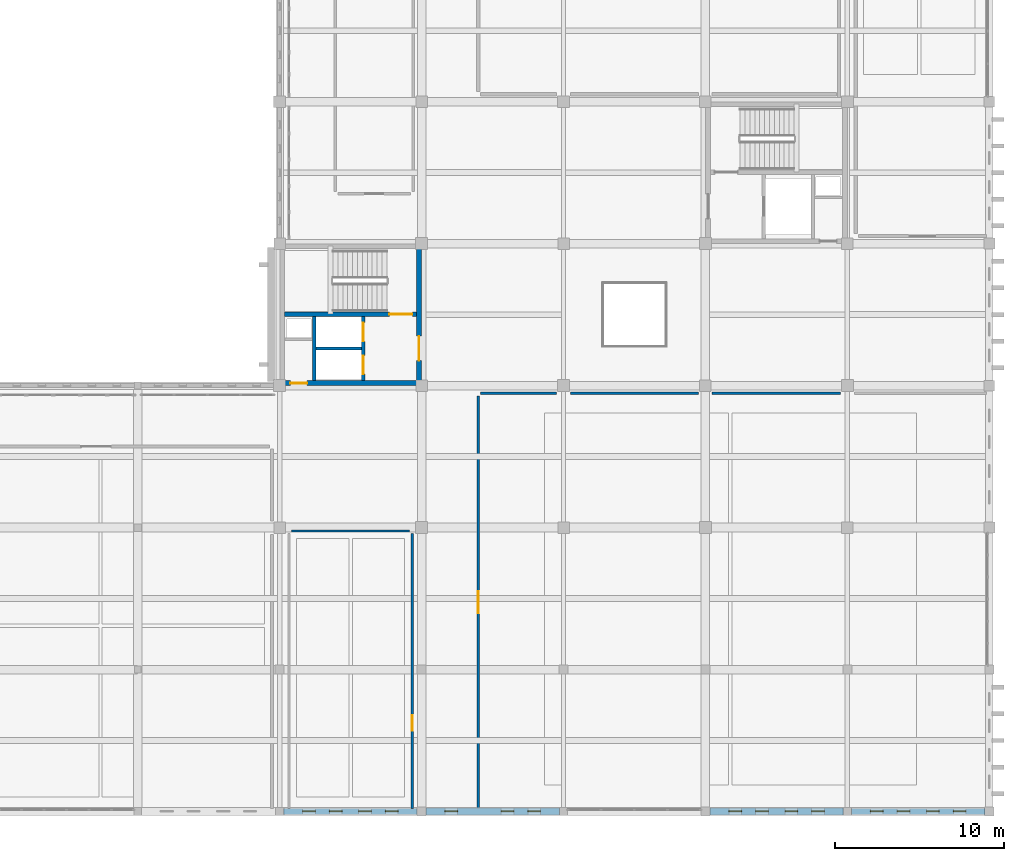
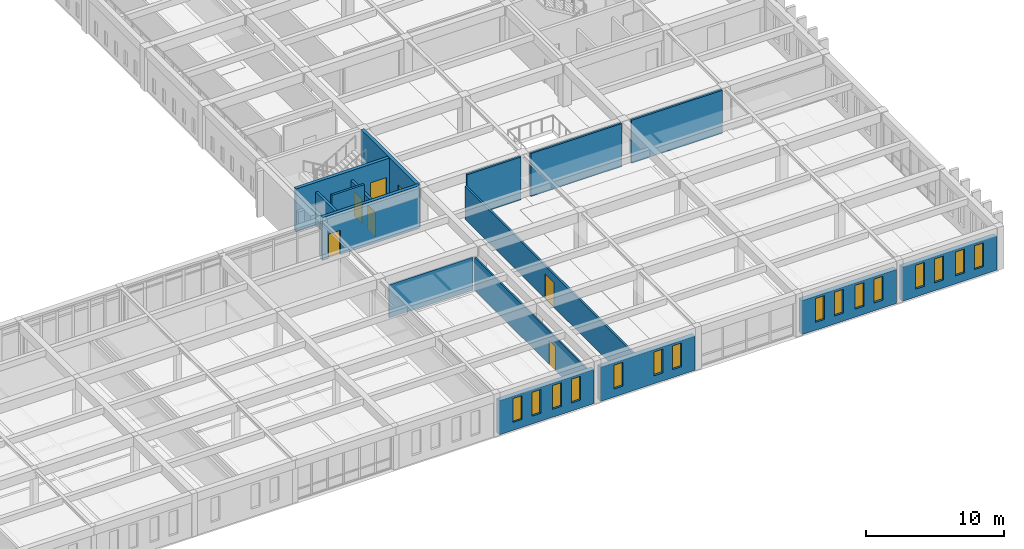
# One storey, part 96 of 110: 16 walls, 15 windows, 7 doors, 22 openings.
"""IFC4 building model written with IfcOpenShell, lengths in metres."""

from ifc_helpers import new_model, si_unit, direction, frame, frame_2d, origin, place, context, subcontext, project, spatial, rectangle, extrude, material, layer, layer_set, type_object, element, fill, save


model = new_model("IFC4")

# Units and contexts
model_context = context("Model", 3, precision=1e-05, world=origin(), true_north=direction((0.0, 1.0)))
body_context = subcontext(model_context, "Body", "Model", "MODEL_VIEW")
ifc_project = project(units=[si_unit("LENGTHUNIT", "METRE"), si_unit("AREAUNIT", "SQUARE_METRE"), si_unit("VOLUMEUNIT", "CUBIC_METRE"), si_unit("PLANEANGLEUNIT", "RADIAN"), si_unit("MASSUNIT", "GRAM", prefix="KILO")], contexts=[model_context])

# Site, building, storey
site_placement = place(None, origin())
site = spatial("IfcSite", under=ifc_project, at=site_placement, CompositionType="ELEMENT")
building_placement = place(site_placement, origin())
building = spatial("IfcBuilding", under=site, at=building_placement, Name="Kveldsbrygga Polytechnic", CompositionType="ELEMENT")
storey_placement = place(building_placement, frame((0.0, 0.0, 9.860107421875)))
storey = spatial("IfcBuildingStorey", under=building, at=storey_placement, Name="L02", CompositionType="ELEMENT", Elevation=9.860107421875)

# Wall, openings, windows
ifc_material_1 = material(Name="Fired clay brick masonry M10", Category="masonry")
ifc_layer_1 = layer(ifc_material_1, 0.3798828125)
ifc_layer_set_1 = layer_set([ifc_layer_1], Name="Fired clay brick masonry M10")
wall_type_1 = type_object("IfcWallType", Name="EW-BRICK-380", PredefinedType="SOLIDWALL", material=ifc_layer_set_1)
wall_1_placement = place(storey_placement, frame((126.235107421875, 0.0, 0.0), z_axis=(0.0, 0.0, 1.0), x_axis=(1.0, 0.0, 0.0)))
wall_1 = element("IfcWall", 1, at=wall_1_placement, inside=storey, type_object=wall_type_1, Name="Exterior Brick Wall EW-L02-X-15-00", PredefinedType="SOLIDWALL", context=body_context, shape_type="SweptSolid", body=[
    extrude(rectangle(XDim=7.90478515625, YDim=0.3798828125, at=frame_2d((3.952392578125, 0.0))), origin(), (0.0, 0.0, 1.0), 3.010009765625),
])
opening_1_placement = place(wall_1_placement, frame((1.126953125, 0.0, 0.699951171875)))
opening_1 = element("IfcOpeningElement", 2, at=opening_1_placement, cuts=wall_1, Name="Opening W-27", PredefinedType="OPENING", context=body_context, shape_type="SweptSolid", body=[
    extrude(rectangle(XDim=0.75, YDim=2.10009765625, at=frame_2d((0.375, 1.050048828125))), frame((0.0, 0.199951171875, 0.0), z_axis=(0.0, -1.0, 0.0), x_axis=(1.0, 0.0, 0.0)), (0.0, 0.0, 1.0), 0.39990234375),
])
opening_2_placement = place(wall_1_placement, frame((2.7080078125, 0.0, 0.699951171875)))
opening_2 = element("IfcOpeningElement", 3, at=opening_2_placement, cuts=wall_1, Name="Opening W-27", PredefinedType="OPENING", context=body_context, shape_type="SweptSolid", body=[
    extrude(rectangle(XDim=0.75, YDim=2.10009765625, at=frame_2d((0.375, 1.050048828125))), frame((0.0, 0.199951171875, 0.0), z_axis=(0.0, -1.0, 0.0), x_axis=(1.0, 0.0, 0.0)), (0.0, 0.0, 1.0), 0.39990234375),
])
opening_3_placement = place(wall_1_placement, frame((4.447021484375, 0.0, 0.699951171875)))
opening_3 = element("IfcOpeningElement", 4, at=opening_3_placement, cuts=wall_1, Name="Opening W-27", PredefinedType="OPENING", context=body_context, shape_type="SweptSolid", body=[
    extrude(rectangle(XDim=0.75, YDim=2.10009765625, at=frame_2d((0.375, 1.050048828125))), frame((0.0, 0.199951171875, 0.0), z_axis=(0.0, -1.0, 0.0), x_axis=(1.0, 0.0, 0.0)), (0.0, 0.0, 1.0), 0.39990234375),
])
opening_4_placement = place(wall_1_placement, frame((6.028076171875, 0.0, 0.699951171875)))
opening_4 = element("IfcOpeningElement", 5, at=opening_4_placement, cuts=wall_1, Name="Opening W-27", PredefinedType="OPENING", context=body_context, shape_type="SweptSolid", body=[
    extrude(rectangle(XDim=0.75, YDim=2.10009765625, at=frame_2d((0.375, 1.050048828125))), frame((0.0, 0.199951171875, 0.0), z_axis=(0.0, -1.0, 0.0), x_axis=(1.0, 0.0, 0.0)), (0.0, 0.0, 1.0), 0.39990234375),
])
ifc_material_2 = material(Name="Insulated triple low-E glass", Category="glass")
window_type = type_object("IfcWindowType", Name="WN-ATTIC-075x210", PartitioningType="DOUBLE_PANEL_VERTICAL", PredefinedType="WINDOW", material=ifc_material_2)
window_1_placement = place(opening_1_placement, origin())
window_1 = element("IfcWindow", 6, at=window_1_placement, inside=storey, type_object=window_type, Name="Gothic Lancet Window WIN-L02-X-15-00-1", OverallHeight=2.10009765625, OverallWidth=0.75, PartitioningType="DOUBLE_PANEL_VERTICAL", PredefinedType="WINDOW", context=body_context, shape_type="SweptSolid", body=[
    extrude(rectangle(XDim=0.75, YDim=2.10009765625, at=frame_2d((0.375, 1.050048828125))), frame((0.0, 0.030029296875, 0.0), z_axis=(0.0, -1.0, 0.0), x_axis=(1.0, 0.0, 0.0)), (0.0, 0.0, 1.0), 0.06005859375),
])
fill(opening_1, window_1)
window_2_placement = place(opening_2_placement, origin())
window_2 = element("IfcWindow", 7, at=window_2_placement, inside=storey, type_object=window_type, Name="Gothic Lancet Window WIN-L02-X-15-00-2", OverallHeight=2.10009765625, OverallWidth=0.75, PartitioningType="DOUBLE_PANEL_VERTICAL", PredefinedType="WINDOW", context=body_context, shape_type="SweptSolid", body=[
    extrude(rectangle(XDim=0.75, YDim=2.10009765625, at=frame_2d((0.375, 1.050048828125))), frame((0.0, 0.030029296875, 0.0), z_axis=(0.0, -1.0, 0.0), x_axis=(1.0, 0.0, 0.0)), (0.0, 0.0, 1.0), 0.06005859375),
])
fill(opening_2, window_2)
window_3_placement = place(opening_3_placement, origin())
window_3 = element("IfcWindow", 8, at=window_3_placement, inside=storey, type_object=window_type, Name="Gothic Lancet Window WIN-L02-X-15-00-3", OverallHeight=2.10009765625, OverallWidth=0.75, PartitioningType="DOUBLE_PANEL_VERTICAL", PredefinedType="WINDOW", context=body_context, shape_type="SweptSolid", body=[
    extrude(rectangle(XDim=0.75, YDim=2.10009765625, at=frame_2d((0.375, 1.050048828125))), frame((0.0, 0.030029296875, 0.0), z_axis=(0.0, -1.0, 0.0), x_axis=(1.0, 0.0, 0.0)), (0.0, 0.0, 1.0), 0.06005859375),
])
fill(opening_3, window_3)
window_4_placement = place(opening_4_placement, origin())
window_4 = element("IfcWindow", 9, at=window_4_placement, inside=storey, type_object=window_type, Name="Gothic Lancet Window WIN-L02-X-15-00-4", OverallHeight=2.10009765625, OverallWidth=0.75, PartitioningType="DOUBLE_PANEL_VERTICAL", PredefinedType="WINDOW", context=body_context, shape_type="SweptSolid", body=[
    extrude(rectangle(XDim=0.75, YDim=2.10009765625, at=frame_2d((0.375, 1.050048828125))), frame((0.0, 0.030029296875, 0.0), z_axis=(0.0, -1.0, 0.0), x_axis=(1.0, 0.0, 0.0)), (0.0, 0.0, 1.0), 0.06005859375),
])
fill(opening_4, window_4)

wall_2_placement = place(storey_placement, frame((159.8349609375, 0.0, 0.0), z_axis=(0.0, 0.0, 1.0), x_axis=(1.0, 0.0, 0.0)))
wall_2 = element("IfcWall", 10, at=wall_2_placement, inside=storey, type_object=wall_type_1, Name="Exterior Brick Wall EW-L02-X-19-00", PredefinedType="SOLIDWALL", context=body_context, shape_type="SweptSolid", body=[
    extrude(rectangle(XDim=7.905029296875, YDim=0.3798828125, at=frame_2d((3.95263671875, 0.0))), origin(), (0.0, 0.0, 1.0), 3.010009765625),
])
opening_5_placement = place(wall_2_placement, frame((1.126953125, 0.0, 0.699951171875)))
opening_5 = element("IfcOpeningElement", 11, at=opening_5_placement, cuts=wall_2, Name="Opening W-27", PredefinedType="OPENING", context=body_context, shape_type="SweptSolid", body=[
    extrude(rectangle(XDim=0.75, YDim=2.10009765625, at=frame_2d((0.375, 1.050048828125))), frame((0.0, 0.199951171875, 0.0), z_axis=(0.0, -1.0, 0.0), x_axis=(1.0, 0.0, 0.0)), (0.0, 0.0, 1.0), 0.39990234375),
])
opening_6_placement = place(wall_2_placement, frame((2.7080078125, 0.0, 0.699951171875)))
opening_6 = element("IfcOpeningElement", 12, at=opening_6_placement, cuts=wall_2, Name="Opening W-27", PredefinedType="OPENING", context=body_context, shape_type="SweptSolid", body=[
    extrude(rectangle(XDim=0.75, YDim=2.10009765625, at=frame_2d((0.375, 1.050048828125))), frame((0.0, 0.199951171875, 0.0), z_axis=(0.0, -1.0, 0.0), x_axis=(1.0, 0.0, 0.0)), (0.0, 0.0, 1.0), 0.39990234375),
])
opening_7_placement = place(wall_2_placement, frame((4.447021484375, 0.0, 0.699951171875)))
opening_7 = element("IfcOpeningElement", 13, at=opening_7_placement, cuts=wall_2, Name="Opening W-27", PredefinedType="OPENING", context=body_context, shape_type="SweptSolid", body=[
    extrude(rectangle(XDim=0.75, YDim=2.10009765625, at=frame_2d((0.375, 1.050048828125))), frame((0.0, 0.199951171875, 0.0), z_axis=(0.0, -1.0, 0.0), x_axis=(1.0, 0.0, 0.0)), (0.0, 0.0, 1.0), 0.39990234375),
])
opening_8_placement = place(wall_2_placement, frame((6.028076171875, 0.0, 0.699951171875)))
opening_8 = element("IfcOpeningElement", 14, at=opening_8_placement, cuts=wall_2, Name="Opening W-27", PredefinedType="OPENING", context=body_context, shape_type="SweptSolid", body=[
    extrude(rectangle(XDim=0.75, YDim=2.10009765625, at=frame_2d((0.375, 1.050048828125))), frame((0.0, 0.199951171875, 0.0), z_axis=(0.0, -1.0, 0.0), x_axis=(1.0, 0.0, 0.0)), (0.0, 0.0, 1.0), 0.39990234375),
])
window_5_placement = place(opening_5_placement, origin())
window_5 = element("IfcWindow", 15, at=window_5_placement, inside=storey, type_object=window_type, Name="Gothic Lancet Window WIN-L02-X-19-00-1", OverallHeight=2.10009765625, OverallWidth=0.75, PartitioningType="DOUBLE_PANEL_VERTICAL", PredefinedType="WINDOW", context=body_context, shape_type="SweptSolid", body=[
    extrude(rectangle(XDim=0.75, YDim=2.10009765625, at=frame_2d((0.375, 1.050048828125))), frame((0.0, 0.030029296875, 0.0), z_axis=(0.0, -1.0, 0.0), x_axis=(1.0, 0.0, 0.0)), (0.0, 0.0, 1.0), 0.06005859375),
])
fill(opening_5, window_5)
window_6_placement = place(opening_6_placement, origin())
window_6 = element("IfcWindow", 16, at=window_6_placement, inside=storey, type_object=window_type, Name="Gothic Lancet Window WIN-L02-X-19-00-2", OverallHeight=2.10009765625, OverallWidth=0.75, PartitioningType="DOUBLE_PANEL_VERTICAL", PredefinedType="WINDOW", context=body_context, shape_type="SweptSolid", body=[
    extrude(rectangle(XDim=0.75, YDim=2.10009765625, at=frame_2d((0.375, 1.050048828125))), frame((0.0, 0.030029296875, 0.0), z_axis=(0.0, -1.0, 0.0), x_axis=(1.0, 0.0, 0.0)), (0.0, 0.0, 1.0), 0.06005859375),
])
fill(opening_6, window_6)
window_7_placement = place(opening_7_placement, origin())
window_7 = element("IfcWindow", 17, at=window_7_placement, inside=storey, type_object=window_type, Name="Gothic Lancet Window WIN-L02-X-19-00-3", OverallHeight=2.10009765625, OverallWidth=0.75, PartitioningType="DOUBLE_PANEL_VERTICAL", PredefinedType="WINDOW", context=body_context, shape_type="SweptSolid", body=[
    extrude(rectangle(XDim=0.75, YDim=2.10009765625, at=frame_2d((0.375, 1.050048828125))), frame((0.0, 0.030029296875, 0.0), z_axis=(0.0, -1.0, 0.0), x_axis=(1.0, 0.0, 0.0)), (0.0, 0.0, 1.0), 0.06005859375),
])
fill(opening_7, window_7)
window_8_placement = place(opening_8_placement, origin())
window_8 = element("IfcWindow", 18, at=window_8_placement, inside=storey, type_object=window_type, Name="Gothic Lancet Window WIN-L02-X-19-00-4", OverallHeight=2.10009765625, OverallWidth=0.75, PartitioningType="DOUBLE_PANEL_VERTICAL", PredefinedType="WINDOW", context=body_context, shape_type="SweptSolid", body=[
    extrude(rectangle(XDim=0.75, YDim=2.10009765625, at=frame_2d((0.375, 1.050048828125))), frame((0.0, 0.030029296875, 0.0), z_axis=(0.0, -1.0, 0.0), x_axis=(1.0, 0.0, 0.0)), (0.0, 0.0, 1.0), 0.06005859375),
])
fill(opening_8, window_8)

ifc_layer_2 = layer(ifc_material_1, 0.39990234375)
ifc_layer_set_2 = layer_set([ifc_layer_2], Name="Fired clay brick masonry M10")
wall_type_2 = type_object("IfcWallType", Name="EW-BRICK-400", PredefinedType="SOLIDWALL", material=ifc_layer_set_2)
wall_3_placement = place(storey_placement, frame((134.659912109375, 0.0, 0.0), z_axis=(0.0, 0.0, 1.0), x_axis=(1.0, 0.0, 0.0)))
wall_3 = element("IfcWall", 19, at=wall_3_placement, inside=storey, type_object=wall_type_2, Name="Exterior Brick Wall EW-L02-X-16-00", PredefinedType="SOLIDWALL", context=body_context, shape_type="SweptSolid", body=[
    extrude(rectangle(XDim=7.905029296875, YDim=0.39990234375, at=frame_2d((3.95263671875, 0.0))), origin(), (0.0, 0.0, 1.0), 3.010009765625),
])
opening_9_placement = place(wall_3_placement, frame((1.126953125, 0.0, 0.699951171875)))
opening_9 = element("IfcOpeningElement", 20, at=opening_9_placement, cuts=wall_3, Name="Opening W-27", PredefinedType="OPENING", context=body_context, shape_type="SweptSolid", body=[
    extrude(rectangle(XDim=0.75, YDim=2.10009765625, at=frame_2d((0.375, 1.050048828125))), frame((0.0, 0.2099609375, 0.0), z_axis=(0.0, -1.0, 0.0), x_axis=(1.0, 0.0, 0.0)), (0.0, 0.0, 1.0), 0.419921875),
])
opening_10_placement = place(wall_3_placement, frame((4.447021484375, 0.0, 0.699951171875)))
opening_10 = element("IfcOpeningElement", 21, at=opening_10_placement, cuts=wall_3, Name="Opening W-27", PredefinedType="OPENING", context=body_context, shape_type="SweptSolid", body=[
    extrude(rectangle(XDim=0.75, YDim=2.10009765625, at=frame_2d((0.375, 1.050048828125))), frame((0.0, 0.2099609375, 0.0), z_axis=(0.0, -1.0, 0.0), x_axis=(1.0, 0.0, 0.0)), (0.0, 0.0, 1.0), 0.419921875),
])
opening_11_placement = place(wall_3_placement, frame((6.028076171875, 0.0, 0.699951171875)))
opening_11 = element("IfcOpeningElement", 22, at=opening_11_placement, cuts=wall_3, Name="Opening W-27", PredefinedType="OPENING", context=body_context, shape_type="SweptSolid", body=[
    extrude(rectangle(XDim=0.75, YDim=2.10009765625, at=frame_2d((0.375, 1.050048828125))), frame((0.0, 0.2099609375, 0.0), z_axis=(0.0, -1.0, 0.0), x_axis=(1.0, 0.0, 0.0)), (0.0, 0.0, 1.0), 0.419921875),
])
window_9_placement = place(opening_9_placement, origin())
window_9 = element("IfcWindow", 23, at=window_9_placement, inside=storey, type_object=window_type, Name="Gothic Lancet Window WIN-L02-X-16-00-1", OverallHeight=2.10009765625, OverallWidth=0.75, PartitioningType="DOUBLE_PANEL_VERTICAL", PredefinedType="WINDOW", context=body_context, shape_type="SweptSolid", body=[
    extrude(rectangle(XDim=0.75, YDim=2.10009765625, at=frame_2d((0.375, 1.050048828125))), frame((0.0, 0.030029296875, 0.0), z_axis=(0.0, -1.0, 0.0), x_axis=(1.0, 0.0, 0.0)), (0.0, 0.0, 1.0), 0.06005859375),
])
fill(opening_9, window_9)
window_10_placement = place(opening_10_placement, origin())
window_10 = element("IfcWindow", 24, at=window_10_placement, inside=storey, type_object=window_type, Name="Gothic Lancet Window WIN-L02-X-16-00-3", OverallHeight=2.10009765625, OverallWidth=0.75, PartitioningType="DOUBLE_PANEL_VERTICAL", PredefinedType="WINDOW", context=body_context, shape_type="SweptSolid", body=[
    extrude(rectangle(XDim=0.75, YDim=2.10009765625, at=frame_2d((0.375, 1.050048828125))), frame((0.0, 0.030029296875, 0.0), z_axis=(0.0, -1.0, 0.0), x_axis=(1.0, 0.0, 0.0)), (0.0, 0.0, 1.0), 0.06005859375),
])
fill(opening_10, window_10)
window_11_placement = place(opening_11_placement, origin())
window_11 = element("IfcWindow", 25, at=window_11_placement, inside=storey, type_object=window_type, Name="Gothic Lancet Window WIN-L02-X-16-00-4", OverallHeight=2.10009765625, OverallWidth=0.75, PartitioningType="DOUBLE_PANEL_VERTICAL", PredefinedType="WINDOW", context=body_context, shape_type="SweptSolid", body=[
    extrude(rectangle(XDim=0.75, YDim=2.10009765625, at=frame_2d((0.375, 1.050048828125))), frame((0.0, 0.030029296875, 0.0), z_axis=(0.0, -1.0, 0.0), x_axis=(1.0, 0.0, 0.0)), (0.0, 0.0, 1.0), 0.06005859375),
])
fill(opening_11, window_11)

wall_4_placement = place(storey_placement, frame((151.4599609375, 0.0, 0.0), z_axis=(0.0, 0.0, 1.0), x_axis=(1.0, 0.0, 0.0)))
wall_4 = element("IfcWall", 26, at=wall_4_placement, inside=storey, type_object=wall_type_2, Name="Exterior Brick Wall EW-L02-X-18-00", PredefinedType="SOLIDWALL", context=body_context, shape_type="SweptSolid", body=[
    extrude(rectangle(XDim=7.905029296875, YDim=0.39990234375, at=frame_2d((3.95263671875, 0.0))), origin(), (0.0, 0.0, 1.0), 3.010009765625),
])
opening_12_placement = place(wall_4_placement, frame((1.126953125, 0.0, 0.699951171875)))
opening_12 = element("IfcOpeningElement", 27, at=opening_12_placement, cuts=wall_4, Name="Opening W-27", PredefinedType="OPENING", context=body_context, shape_type="SweptSolid", body=[
    extrude(rectangle(XDim=0.75, YDim=2.10009765625, at=frame_2d((0.375, 1.050048828125))), frame((0.0, 0.2099609375, 0.0), z_axis=(0.0, -1.0, 0.0), x_axis=(1.0, 0.0, 0.0)), (0.0, 0.0, 1.0), 0.419921875),
])
opening_13_placement = place(wall_4_placement, frame((2.7080078125, 0.0, 0.699951171875)))
opening_13 = element("IfcOpeningElement", 28, at=opening_13_placement, cuts=wall_4, Name="Opening W-27", PredefinedType="OPENING", context=body_context, shape_type="SweptSolid", body=[
    extrude(rectangle(XDim=0.75, YDim=2.10009765625, at=frame_2d((0.375, 1.050048828125))), frame((0.0, 0.2099609375, 0.0), z_axis=(0.0, -1.0, 0.0), x_axis=(1.0, 0.0, 0.0)), (0.0, 0.0, 1.0), 0.419921875),
])
opening_14_placement = place(wall_4_placement, frame((4.447021484375, 0.0, 0.699951171875)))
opening_14 = element("IfcOpeningElement", 29, at=opening_14_placement, cuts=wall_4, Name="Opening W-27", PredefinedType="OPENING", context=body_context, shape_type="SweptSolid", body=[
    extrude(rectangle(XDim=0.75, YDim=2.10009765625, at=frame_2d((0.375, 1.050048828125))), frame((0.0, 0.2099609375, 0.0), z_axis=(0.0, -1.0, 0.0), x_axis=(1.0, 0.0, 0.0)), (0.0, 0.0, 1.0), 0.419921875),
])
opening_15_placement = place(wall_4_placement, frame((6.028076171875, 0.0, 0.699951171875)))
opening_15 = element("IfcOpeningElement", 30, at=opening_15_placement, cuts=wall_4, Name="Opening W-27", PredefinedType="OPENING", context=body_context, shape_type="SweptSolid", body=[
    extrude(rectangle(XDim=0.75, YDim=2.10009765625, at=frame_2d((0.375, 1.050048828125))), frame((0.0, 0.2099609375, 0.0), z_axis=(0.0, -1.0, 0.0), x_axis=(1.0, 0.0, 0.0)), (0.0, 0.0, 1.0), 0.419921875),
])
window_12_placement = place(opening_12_placement, origin())
window_12 = element("IfcWindow", 31, at=window_12_placement, inside=storey, type_object=window_type, Name="Gothic Lancet Window WIN-L02-X-18-00-1", OverallHeight=2.10009765625, OverallWidth=0.75, PartitioningType="DOUBLE_PANEL_VERTICAL", PredefinedType="WINDOW", context=body_context, shape_type="SweptSolid", body=[
    extrude(rectangle(XDim=0.75, YDim=2.10009765625, at=frame_2d((0.375, 1.050048828125))), frame((0.0, 0.030029296875, 0.0), z_axis=(0.0, -1.0, 0.0), x_axis=(1.0, 0.0, 0.0)), (0.0, 0.0, 1.0), 0.06005859375),
])
fill(opening_12, window_12)
window_13_placement = place(opening_13_placement, origin())
window_13 = element("IfcWindow", 32, at=window_13_placement, inside=storey, type_object=window_type, Name="Gothic Lancet Window WIN-L02-X-18-00-2", OverallHeight=2.10009765625, OverallWidth=0.75, PartitioningType="DOUBLE_PANEL_VERTICAL", PredefinedType="WINDOW", context=body_context, shape_type="SweptSolid", body=[
    extrude(rectangle(XDim=0.75, YDim=2.10009765625, at=frame_2d((0.375, 1.050048828125))), frame((0.0, 0.030029296875, 0.0), z_axis=(0.0, -1.0, 0.0), x_axis=(1.0, 0.0, 0.0)), (0.0, 0.0, 1.0), 0.06005859375),
])
fill(opening_13, window_13)
window_14_placement = place(opening_14_placement, origin())
window_14 = element("IfcWindow", 33, at=window_14_placement, inside=storey, type_object=window_type, Name="Gothic Lancet Window WIN-L02-X-18-00-3", OverallHeight=2.10009765625, OverallWidth=0.75, PartitioningType="DOUBLE_PANEL_VERTICAL", PredefinedType="WINDOW", context=body_context, shape_type="SweptSolid", body=[
    extrude(rectangle(XDim=0.75, YDim=2.10009765625, at=frame_2d((0.375, 1.050048828125))), frame((0.0, 0.030029296875, 0.0), z_axis=(0.0, -1.0, 0.0), x_axis=(1.0, 0.0, 0.0)), (0.0, 0.0, 1.0), 0.06005859375),
])
fill(opening_14, window_14)
window_15_placement = place(opening_15_placement, origin())
window_15 = element("IfcWindow", 34, at=window_15_placement, inside=storey, type_object=window_type, Name="Gothic Lancet Window WIN-L02-X-18-00-4", OverallHeight=2.10009765625, OverallWidth=0.75, PartitioningType="DOUBLE_PANEL_VERTICAL", PredefinedType="WINDOW", context=body_context, shape_type="SweptSolid", body=[
    extrude(rectangle(XDim=0.75, YDim=2.10009765625, at=frame_2d((0.375, 1.050048828125))), frame((0.0, 0.030029296875, 0.0), z_axis=(0.0, -1.0, 0.0), x_axis=(1.0, 0.0, 0.0)), (0.0, 0.0, 1.0), 0.06005859375),
])
fill(opening_15, window_15)

# Wall, opening, door
ifc_material_3 = material(Name="Moisture-resistant masonry M10", Category="masonry")
ifc_layer_3 = layer(ifc_material_3, 0.1298828125)
ifc_layer_set_3 = layer_set([ifc_layer_3], Name="Moisture-resistant masonry M10")
wall_type_3 = type_object("IfcWallType", Name="IW-SAN-130", PredefinedType="PARTITIONING", material=ifc_layer_set_3)
wall_5_placement = place(storey_placement, frame((133.85009765625, 0.179931640625, 0.0), z_axis=(0.0, 0.0, 1.0), x_axis=(0.0, 1.0, 0.0)))
wall_5 = element("IfcWall", 35, at=wall_5_placement, inside=storey, type_object=wall_type_3, Name="Partition Wall IW-SP-L02-WC1-E1", PredefinedType="PARTITIONING", context=body_context, shape_type="SweptSolid", body=[
    extrude(rectangle(XDim=16.27001953125, YDim=0.1298828125, at=frame_2d((8.135009765625, 0.0))), origin(), (0.0, 0.0, 1.0), 2.909912109375),
])
opening_16_placement = place(wall_5_placement, frame((4.611083984375, 0.0, 0.0)))
opening_16 = element("IfcOpeningElement", 36, at=opening_16_placement, cuts=wall_5, Name="Opening ID-L02-071", PredefinedType="OPENING", context=body_context, shape_type="SweptSolid", body=[
    extrude(rectangle(XDim=0.89990234375, YDim=2.10009765625, at=frame_2d((0.449951171875, 1.050048828125))), frame((0.0, 0.074951171875, 0.0), z_axis=(0.0, -1.0, 0.0), x_axis=(1.0, 0.0, 0.0)), (0.0, 0.0, 1.0), 0.14990234375),
])
ifc_material_4 = material(Name="Acoustic oak timber", Category="wood")
door_type_1 = type_object("IfcDoorType", Name="ID-SAN-090x210", OperationType="NOTDEFINED", PredefinedType="DOOR", material=ifc_material_4)
door_1_placement = place(opening_16_placement, origin())
door_1 = element("IfcDoor", 37, at=door_1_placement, inside=storey, type_object=door_type_1, Name="Interior Door ID-L02-071", OperationType="SINGLE_SWING_LEFT", OverallHeight=2.10009765625, OverallWidth=0.89990234375, PredefinedType="DOOR", context=body_context, shape_type="SweptSolid", body=[
    extrude(rectangle(XDim=0.89990234375, YDim=2.10009765625, at=frame_2d((0.449951171875, 1.050048828125))), frame((0.0, 0.02490234375, 0.0), z_axis=(0.0, -1.0, 0.0), x_axis=(1.0, 0.0, 0.0)), (0.0, 0.0, 1.0), 0.050048828125),
])
fill(opening_16, door_1)

# Wall
wall_6_placement = place(storey_placement, frame((126.699951171875, 16.60009765625, 0.0), z_axis=(0.0, 0.0, 1.0), x_axis=(1.0, 0.0, 0.0)))
element("IfcWall", 38, at=wall_6_placement, inside=storey, type_object=wall_type_3, Name="Partition Wall IW-SP-L02-WC1-N1", PredefinedType="PARTITIONING", context=body_context, shape_type="SweptSolid", body=[
    extrude(rectangle(XDim=7.0, YDim=0.1298828125, at=frame_2d((3.5, 0.0))), origin(), (0.0, 0.0, 1.0), 2.909912109375),
])

# Wall, opening, door
ifc_material_5 = material(Name="Gypsum acoustic stud partition")
ifc_layer_4 = layer(ifc_material_5, 0.159912109375)
ifc_layer_set_4 = layer_set([ifc_layer_4], Name="Gypsum acoustic stud partition")
wall_type_4 = type_object("IfcWallType", Name="IW-STD-160", PredefinedType="PARTITIONING", material=ifc_layer_set_4)
wall_7_placement = place(storey_placement, frame((137.75, 0.179931640625, 0.0), z_axis=(0.0, 0.0, 1.0), x_axis=(0.0, 1.0, 0.0)))
wall_7 = element("IfcWall", 39, at=wall_7_placement, inside=storey, type_object=wall_type_4, Name="Partition Wall IW-SP-L02-STD22-W1", PredefinedType="PARTITIONING", context=body_context, shape_type="SweptSolid", body=[
    extrude(rectangle(XDim=24.420166015625, YDim=0.159912109375, at=frame_2d((12.2099609375, 0.0))), origin(), (0.0, 0.0, 1.0), 2.909912109375),
])
opening_17_placement = place(wall_7_placement, frame((11.56005859375, 0.0, 0.0)))
opening_17 = element("IfcOpeningElement", 40, at=opening_17_placement, cuts=wall_7, Name="Opening ID-L02-065", PredefinedType="OPENING", context=body_context, shape_type="SweptSolid", body=[
    extrude(rectangle(XDim=1.300048828125, YDim=2.199951171875, at=frame_2d((0.64990234375, 1.10009765625))), frame((0.0, 0.08984375, 0.0), z_axis=(0.0, -1.0, 0.0), x_axis=(1.0, 0.0, 0.0)), (0.0, 0.0, 1.0), 0.179931640625),
])
door_type_2 = type_object("IfcDoorType", Name="ID-STD-130x220", OperationType="NOTDEFINED", PredefinedType="DOOR", material=ifc_material_4)
door_2_placement = place(opening_17_placement, origin())
door_2 = element("IfcDoor", 41, at=door_2_placement, inside=storey, type_object=door_type_2, Name="Interior Door ID-L02-065", OperationType="SINGLE_SWING_RIGHT", OverallHeight=2.199951171875, OverallWidth=1.300048828125, PredefinedType="DOOR", context=body_context, shape_type="SweptSolid", body=[
    extrude(rectangle(XDim=1.300048828125, YDim=2.199951171875, at=frame_2d((0.64990234375, 1.10009765625))), frame((0.0, 0.02490234375, 0.0), z_axis=(0.0, -1.0, 0.0), x_axis=(1.0, 0.0, 0.0)), (0.0, 0.0, 1.0), 0.050048828125),
])
fill(opening_17, door_2)

# Walls
wall_8_placement = place(storey_placement, frame((137.89990234375, 24.75, 0.0), z_axis=(0.0, 0.0, 1.0), x_axis=(1.0, 0.0, 0.0)))
element("IfcWall", 42, at=wall_8_placement, inside=storey, type_object=wall_type_4, Name="Partition Wall IW-SP-L02-STD22-N1", PredefinedType="PARTITIONING", context=body_context, shape_type="SweptSolid", body=[
    extrude(rectangle(XDim=4.489990234375, YDim=0.159912109375, at=frame_2d((2.2451171875, 0.0))), origin(), (0.0, 0.0, 1.0), 3.77978515625),
])
wall_9_placement = place(storey_placement, frame((143.2099609375, 24.75, 0.0), z_axis=(0.0, 0.0, 1.0), x_axis=(1.0, 0.0, 0.0)))
element("IfcWall", 43, at=wall_9_placement, inside=storey, type_object=wall_type_4, Name="Partition Wall IW-SP-L02-STD22-N2", PredefinedType="PARTITIONING", context=body_context, shape_type="SweptSolid", body=[
    extrude(rectangle(XDim=7.590087890625, YDim=0.159912109375, at=frame_2d((3.794921875, 0.0))), origin(), (0.0, 0.0, 1.0), 3.77978515625),
])
wall_10_placement = place(storey_placement, frame((151.60009765625, 24.75, 0.0), z_axis=(0.0, 0.0, 1.0), x_axis=(1.0, 0.0, 0.0)))
element("IfcWall", 44, at=wall_10_placement, inside=storey, type_object=wall_type_4, Name="Partition Wall IW-SP-L02-STD22-N3", PredefinedType="PARTITIONING", context=body_context, shape_type="SweptSolid", body=[
    extrude(rectangle(XDim=7.58984375, YDim=0.159912109375, at=frame_2d((3.794921875, 0.0))), origin(), (0.0, 0.0, 1.0), 3.77978515625),
])

# Wall, opening, door
ifc_material_6 = material(Name="Concrete C45/55", Category="concrete")
ifc_layer_5 = layer(ifc_material_6, 0.280029296875)
ifc_layer_set_5 = layer_set([ifc_layer_5], Name="Concrete C45/55")
wall_type_5 = type_object("IfcWallType", Name="WL-CORE-280", PredefinedType="SHEAR", material=ifc_layer_set_5)
wall_11_placement = place(storey_placement, frame((126.14990234375, 25.35009765625, 0.0), z_axis=(0.0, 0.0, 1.0), x_axis=(1.0, 0.0, 0.0)))
wall_11 = element("IfcWall", 45, at=wall_11_placement, inside=storey, type_object=wall_type_5, Name="Core C1 Shear Wall C1-L02-SW-S", PredefinedType="SHEAR", context=body_context, shape_type="SweptSolid", body=[
    extrude(rectangle(XDim=8.10009765625, YDim=0.280029296875, at=frame_2d((4.050048828125, 0.0))), origin(), (0.0, 0.0, 1.0), 3.77978515625),
])
opening_18_placement = place(wall_11_placement, frame((0.485107421875, 0.0, 0.0)))
opening_18 = element("IfcOpeningElement", 46, at=opening_18_placement, cuts=wall_11, Name="Opening ID-C1-L02-AWC", PredefinedType="OPENING", context=body_context, shape_type="SweptSolid", body=[
    extrude(rectangle(XDim=1.0, YDim=2.14990234375, at=frame_2d((0.5, 1.074951171875))), frame((0.0, 0.14990234375, 0.0), z_axis=(0.0, -1.0, 0.0), x_axis=(1.0, 0.0, 0.0)), (0.0, 0.0, 1.0), 0.300048828125),
])
door_type_3 = type_object("IfcDoorType", Name="ID-AWC-100x215", OperationType="NOTDEFINED", PredefinedType="DOOR", material=ifc_material_4)
door_3_placement = place(opening_18_placement, origin())
door_3 = element("IfcDoor", 47, at=door_3_placement, inside=storey, type_object=door_type_3, Name="Accessible WC Door ID-C1-L02-AWC", OperationType="SINGLE_SWING_RIGHT", OverallHeight=2.14990234375, OverallWidth=1.0, PredefinedType="DOOR", context=body_context, shape_type="SweptSolid", body=[
    extrude(rectangle(XDim=1.0, YDim=2.14990234375, at=frame_2d((0.5, 1.074951171875))), frame((0.0, 0.02490234375, 0.0), z_axis=(0.0, -1.0, 0.0), x_axis=(1.0, 0.0, 0.0)), (0.0, 0.0, 1.0), 0.050048828125),
])
fill(opening_18, door_3)

wall_12_placement = place(storey_placement, frame((134.25, 25.35009765625, 0.0), z_axis=(0.0, 0.0, 1.0), x_axis=(0.0, 1.0, 0.0)))
wall_12 = element("IfcWall", 48, at=wall_12_placement, inside=storey, type_object=wall_type_5, Name="Core C1 Shear Wall C1-L02-SW-E", PredefinedType="SHEAR", context=body_context, shape_type="SweptSolid", body=[
    extrude(rectangle(XDim=8.099853515625, YDim=0.280029296875, at=frame_2d((4.0498046875, 0.0))), origin(), (0.0, 0.0, 1.0), 3.77978515625),
])
opening_19_placement = place(wall_12_placement, frame((1.324951171875, 0.0, 0.0)))
opening_19 = element("IfcOpeningElement", 49, at=opening_19_placement, cuts=wall_12, Name="Opening FD-C1-L02-LOB", PredefinedType="OPENING", context=body_context, shape_type="SweptSolid", body=[
    extrude(rectangle(XDim=1.449951171875, YDim=2.14990234375, at=frame_2d((0.72509765625, 1.074951171875))), frame((0.0, 0.14990234375, 0.0), z_axis=(0.0, -1.0, 0.0), x_axis=(1.0, 0.0, 0.0)), (0.0, 0.0, 1.0), 0.300048828125),
])
ifc_material_7 = material(Name="Powder-coated galvanised steel", Category="steel")
door_type_4 = type_object("IfcDoorType", Name="ID-LOBBY-145x215", OperationType="DOUBLE_DOOR_SINGLE_SWING", PredefinedType="DOOR", material=ifc_material_7)
door_4_placement = place(opening_19_placement, origin())
door_4 = element("IfcDoor", 50, at=door_4_placement, inside=storey, type_object=door_type_4, Name="Core Lobby Fire Door FD-C1-L02-LOB", OperationType="DOUBLE_DOOR_SINGLE_SWING", OverallHeight=2.14990234375, OverallWidth=1.449951171875, PredefinedType="DOOR", context=body_context, shape_type="SweptSolid", body=[
    extrude(rectangle(XDim=1.449951171875, YDim=2.14990234375, at=frame_2d((0.72509765625, 1.074951171875))), frame((0.0, 0.02490234375, 0.0), z_axis=(0.0, -1.0, 0.0), x_axis=(1.0, 0.0, 0.0)), (0.0, 0.0, 1.0), 0.050048828125),
])
fill(opening_19, door_4)

wall_13_placement = place(storey_placement, frame((126.300048828125, 29.429931640625, 0.0), z_axis=(0.0, 0.0, 1.0), x_axis=(1.0, 0.0, 0.0)))
wall_13 = element("IfcWall", 51, at=wall_13_placement, inside=storey, type_object=wall_type_5, Name="Core C1 Shear Wall C1-L02-W-DIV", PredefinedType="SHEAR", context=body_context, shape_type="SweptSolid", body=[
    extrude(rectangle(XDim=7.800048828125, YDim=0.280029296875, at=frame_2d((3.89990234375, 0.0))), origin(), (0.0, 0.0, 1.0), 3.77978515625),
])
opening_20_placement = place(wall_13_placement, frame((6.199951171875, 0.0, 0.0)))
opening_20 = element("IfcOpeningElement", 52, at=opening_20_placement, cuts=wall_13, Name="Opening FD-C1-L02-ST", PredefinedType="OPENING", context=body_context, shape_type="SweptSolid", body=[
    extrude(rectangle(XDim=1.35009765625, YDim=2.14990234375, at=frame_2d((0.675048828125, 1.074951171875))), frame((0.0, 0.14990234375, 0.0), z_axis=(0.0, -1.0, 0.0), x_axis=(1.0, 0.0, 0.0)), (0.0, 0.0, 1.0), 0.300048828125),
])
door_type_5 = type_object("IfcDoorType", Name="ID-STAIR-135x215", OperationType="NOTDEFINED", PredefinedType="DOOR", material=ifc_material_7)
door_5_placement = place(opening_20_placement, origin())
door_5 = element("IfcDoor", 53, at=door_5_placement, inside=storey, type_object=door_type_5, Name="Stair Fire Door FD-C1-L02-ST", OperationType="SINGLE_SWING_LEFT", OverallHeight=2.14990234375, OverallWidth=1.35009765625, PredefinedType="DOOR", context=body_context, shape_type="SweptSolid", body=[
    extrude(rectangle(XDim=1.35009765625, YDim=2.14990234375, at=frame_2d((0.675048828125, 1.074951171875))), frame((0.0, 0.02490234375, 0.0), z_axis=(0.0, -1.0, 0.0), x_axis=(1.0, 0.0, 0.0)), (0.0, 0.0, 1.0), 0.050048828125),
])
fill(opening_20, door_5)

# Wall
ifc_material_8 = material(Name="Concrete C35/45", Category="concrete")
ifc_layer_6 = layer(ifc_material_8, 0.179931640625)
ifc_layer_set_6 = layer_set([ifc_layer_6], Name="Concrete C35/45")
wall_type_6 = type_object("IfcWallType", Name="WL-SHFT-180", PredefinedType="SHEAR", material=ifc_layer_set_6)
wall_14_placement = place(storey_placement, frame((128.14990234375, 27.39990234375, 0.0), z_axis=(0.0, 0.0, 1.0), x_axis=(1.0, 0.0, 0.0)))
element("IfcWall", 54, at=wall_14_placement, inside=storey, type_object=wall_type_6, Name="Lift Divider Wall C1-L02-W-LMID", PredefinedType="SHEAR", context=body_context, shape_type="SweptSolid", body=[
    extrude(rectangle(XDim=2.7001953125, YDim=0.179931640625, at=frame_2d((1.35009765625, 0.0))), origin(), (0.0, 0.0, 1.0), 3.77978515625),
])

# Wall, openings, doors
ifc_layer_7 = layer(ifc_material_8, 0.199951171875)
ifc_layer_set_7 = layer_set([ifc_layer_7], Name="Concrete C35/45")
wall_type_7 = type_object("IfcWallType", Name="WL-SHFT-200", PredefinedType="SHEAR", material=ifc_layer_set_7)
wall_15_placement = place(storey_placement, frame((130.9599609375, 25.5, 0.0), z_axis=(0.0, 0.0, 1.0), x_axis=(0.0, 1.0, 0.0)))
wall_15 = element("IfcWall", 55, at=wall_15_placement, inside=storey, type_object=wall_type_7, Name="Lift Front Wall C1-L02-W-LFR", PredefinedType="SHEAR", context=body_context, shape_type="SweptSolid", body=[
    extrude(rectangle(XDim=3.800048828125, YDim=0.199951171875, at=frame_2d((1.89990234375, 0.0))), origin(), (0.0, 0.0, 1.0), 2.949951171875),
])
opening_21_placement = place(wall_15_placement, frame((0.375, 0.0, 0.0)))
opening_21 = element("IfcOpeningElement", 56, at=opening_21_placement, cuts=wall_15, Name="Opening LD-FL-1", PredefinedType="OPENING", context=body_context, shape_type="SweptSolid", body=[
    extrude(rectangle(XDim=1.10009765625, YDim=2.14990234375, at=frame_2d((0.550048828125, 1.074951171875))), frame((0.0, 0.10986328125, 0.0), z_axis=(0.0, -1.0, 0.0), x_axis=(1.0, 0.0, 0.0)), (0.0, 0.0, 1.0), 0.219970703125),
])
opening_22_placement = place(wall_15_placement, frame((2.324951171875, 0.0, 0.0)))
opening_22 = element("IfcOpeningElement", 57, at=opening_22_placement, cuts=wall_15, Name="Opening LD-LP-1", PredefinedType="OPENING", context=body_context, shape_type="SweptSolid", body=[
    extrude(rectangle(XDim=1.10009765625, YDim=2.14990234375, at=frame_2d((0.550048828125, 1.074951171875))), frame((0.0, 0.10986328125, 0.0), z_axis=(0.0, -1.0, 0.0), x_axis=(1.0, 0.0, 0.0)), (0.0, 0.0, 1.0), 0.219970703125),
])
ifc_material_9 = material(Name="Brushed stainless steel EN 1.4401", Category="steel")
door_type_6 = type_object("IfcDoorType", Name="LD-PAX-110x215", OperationType="SLIDING_TO_LEFT", PredefinedType="DOOR", material=ifc_material_9)
door_6_placement = place(opening_21_placement, origin())
door_6 = element("IfcDoor", 58, at=door_6_placement, inside=storey, type_object=door_type_6, Name="Lift Landing Sliding Door LD-FL-1-L02", OperationType="SLIDING_TO_LEFT", OverallHeight=2.14990234375, OverallWidth=1.10009765625, PredefinedType="DOOR", context=body_context, shape_type="SweptSolid", body=[
    extrude(rectangle(XDim=1.10009765625, YDim=2.14990234375, at=frame_2d((0.550048828125, 1.074951171875))), frame((0.0, 0.02490234375, 0.0), z_axis=(0.0, -1.0, 0.0), x_axis=(1.0, 0.0, 0.0)), (0.0, 0.0, 1.0), 0.050048828125),
])
fill(opening_21, door_6)
door_7_placement = place(opening_22_placement, origin())
door_7 = element("IfcDoor", 59, at=door_7_placement, inside=storey, type_object=door_type_6, Name="Lift Landing Sliding Door LD-LP-1-L02", OperationType="SLIDING_TO_LEFT", OverallHeight=2.14990234375, OverallWidth=1.10009765625, PredefinedType="DOOR", context=body_context, shape_type="SweptSolid", body=[
    extrude(rectangle(XDim=1.10009765625, YDim=2.14990234375, at=frame_2d((0.550048828125, 1.074951171875))), frame((0.0, 0.02490234375, 0.0), z_axis=(0.0, -1.0, 0.0), x_axis=(1.0, 0.0, 0.0)), (0.0, 0.0, 1.0), 0.050048828125),
])
fill(opening_22, door_7)

# Wall
wall_16_placement = place(storey_placement, frame((128.0400390625, 25.5, 0.0), z_axis=(0.0, 0.0, 1.0), x_axis=(0.0, 1.0, 0.0)))
element("IfcWall", 60, at=wall_16_placement, inside=storey, type_object=wall_type_7, Name="Lift Back Wall C1-L02-W-LBK", PredefinedType="SHEAR", context=body_context, shape_type="SweptSolid", body=[
    extrude(rectangle(XDim=3.800048828125, YDim=0.199951171875, at=frame_2d((1.89990234375, 0.0))), origin(), (0.0, 0.0, 1.0), 2.949951171875),
])

save(model, "model.ifc")
